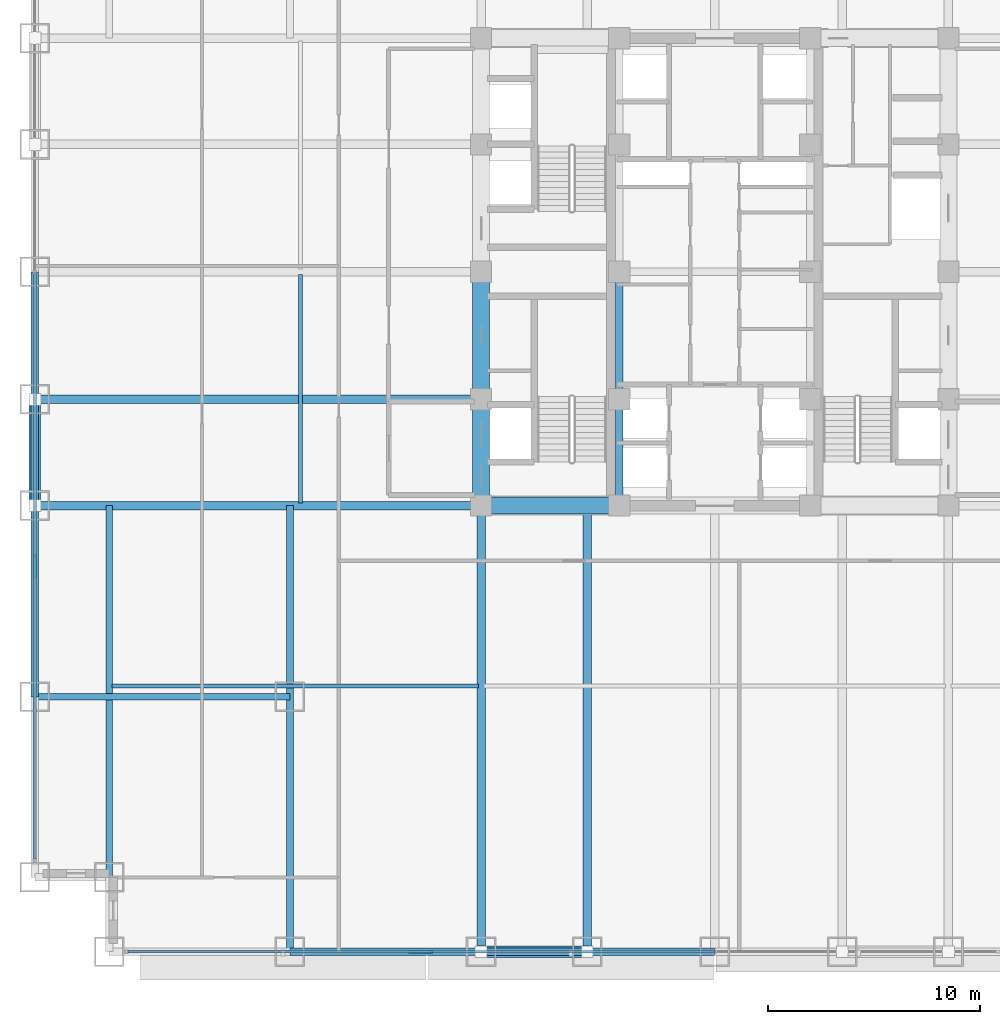
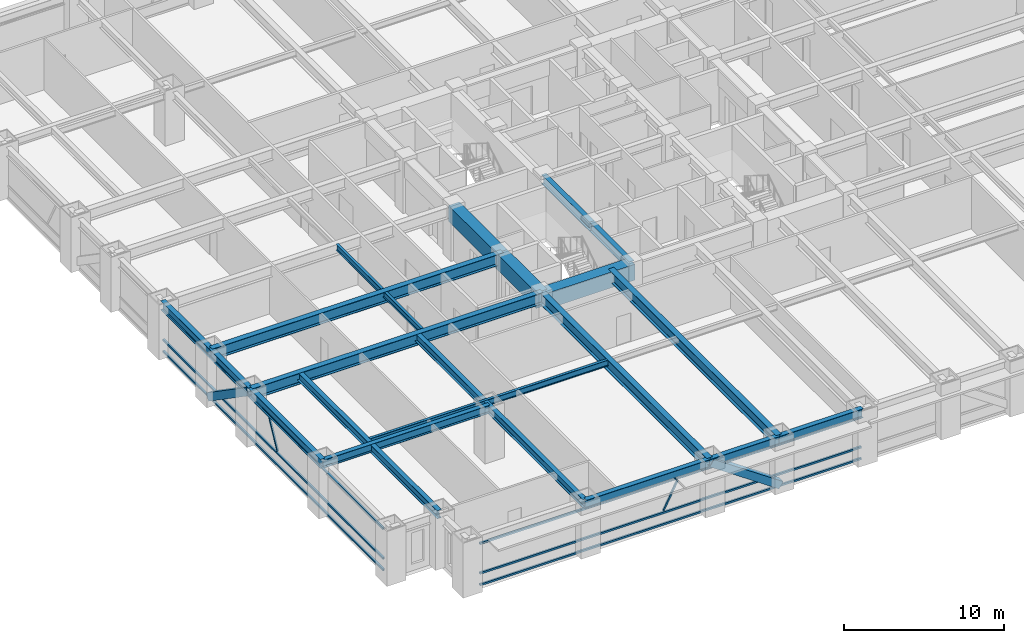
# One storey, part 3 of 32: 20 beams, 10 members, 2 elements without a shape of their own.
"""IFC4 building model written with IfcOpenShell, lengths in metres."""

from ifc_helpers import new_model, si_unit, direction, frame, origin, origin_2d, place, context, subcontext, project, spatial, rectangle, hollow_rectangle, i_section, extrude, source, transform, mapped, material, material_profile, profile_set, type_object, element, aggregate, save


model = new_model("IFC4")

# Units and contexts
model_context = context("Model", 3, precision=1e-05, world=origin(), true_north=direction((0.0, 1.0)))
body_context = subcontext(model_context, "Body", "Model", "MODEL_VIEW")
ifc_project = project(units=[si_unit("LENGTHUNIT", "METRE"), si_unit("AREAUNIT", "SQUARE_METRE"), si_unit("VOLUMEUNIT", "CUBIC_METRE"), si_unit("PLANEANGLEUNIT", "RADIAN"), si_unit("MASSUNIT", "GRAM", prefix="KILO")], contexts=[model_context])

# Site, building, storey
site_placement = place(None, origin())
site = spatial("IfcSite", under=ifc_project, at=site_placement, CompositionType="ELEMENT")
building_placement = place(site_placement, origin())
building = spatial("IfcBuilding", under=site, at=building_placement, Name="Khorayat Bourse Tower", CompositionType="ELEMENT")
storey_placement = place(building_placement, frame((0.0, 0.0, 70.39990234375)))
storey = spatial("IfcBuildingStorey", under=building, at=storey_placement, Name="L15", CompositionType="ELEMENT", Elevation=70.39990234375)

# Beams
ifc_material_1 = material(Name="Concrete C72/90", Category="concrete")
ifc_material_profile_1 = material_profile(ifc_material_1, rectangle(XDim=0.800048828125, YDim=1.199951171875, at=origin_2d()), Name="RC 800x1200")
ifc_profile_set_1 = profile_set([ifc_material_profile_1], Name="Concrete C72/90")
beam_type_1 = type_object("IfcBeamType", Name="BM-COUP-1200", PredefinedType="BEAM", material=ifc_profile_set_1)
shared_shape_1 = source(origin(), body_context, "Body", "SweptSolid", [
    extrude(rectangle(XDim=0.800048828125, YDim=1.199951171875, at=origin_2d()), origin(), (0.0, 0.0, 1.0), 5.0),
])
beam_1_placement = place(storey_placement, frame((-11.0, -11.0, 3.340087890625), z_axis=(0.0, 1.0, 0.0), x_axis=(-1.0, 0.0, 0.0)))
element("IfcBeam", 1, at=beam_1_placement, inside=storey, type_object=beam_type_1, Name="L15 BM-COUP-1200 BM-L15-CRX-01", PredefinedType="BEAM", context=body_context, shape_type="MappedRepresentation", body=[
    mapped(shared_shape_1, transform((0.0, 0.0, 0.0), scale=1.0)),
])
shared_shape_2 = source(origin(), body_context, "Body", "SweptSolid", [
    extrude(rectangle(XDim=0.800048828125, YDim=1.199951171875, at=origin_2d()), origin(), (0.0, 0.0, 1.0), 6.0),
])
beam_2_placement = place(storey_placement, frame((-11.0, -6.0, 3.340087890625), z_axis=(0.0, 1.0, 0.0), x_axis=(-1.0, 0.0, 0.0)))
element("IfcBeam", 2, at=beam_2_placement, inside=storey, type_object=beam_type_1, Name="L15 BM-COUP-1200 BM-L15-CRX-02", PredefinedType="BEAM", context=body_context, shape_type="MappedRepresentation", body=[
    mapped(shared_shape_2, transform((0.0, 0.0, 0.0), scale=1.0)),
])
ifc_material_2 = material(Name="Steel ASTM A992 Grade 50", Category="steel")
ifc_material_profile_2 = material_profile(ifc_material_2, i_section(OverallWidth=0.35498046875, OverallDepth=0.695068359375, WebThickness=0.015380859375, FlangeThickness=0.02490234375, FilletRadius=0.01806640625, at=origin_2d()), Name="W690X217")
ifc_profile_set_2 = profile_set([ifc_material_profile_2], Name="Steel ASTM A992 Grade 50")
beam_type_2 = type_object("IfcBeamType", Name="BM-GIRD-690", PredefinedType="BEAM", material=ifc_profile_set_2)
shared_shape_3 = source(origin(), body_context, "Body", "SweptSolid", [
    extrude(i_section(OverallWidth=0.35498046875, OverallDepth=0.695068359375, WebThickness=0.015380859375, FlangeThickness=0.02490234375, FilletRadius=0.01806640625, at=origin_2d()), origin(), (0.0, 0.0, 1.0), 5.0),
])
beam_3_placement = place(storey_placement, frame((-4.5, -11.0, 3.592529296875), z_axis=(0.0, 1.0, 0.0), x_axis=(-1.0, 0.0, 0.0)))
element("IfcBeam", 3, at=beam_3_placement, inside=storey, type_object=beam_type_2, Name="L15 BM-GIRD-690 BM-L15-CRX-05", PredefinedType="BEAM", context=body_context, shape_type="MappedRepresentation", body=[
    mapped(shared_shape_3, transform((0.0, 0.0, 0.0), scale=1.0)),
])
shared_shape_4 = source(origin(), body_context, "Body", "SweptSolid", [
    extrude(i_section(OverallWidth=0.35498046875, OverallDepth=0.695068359375, WebThickness=0.015380859375, FlangeThickness=0.02490234375, FilletRadius=0.01806640625, at=origin_2d()), origin(), (0.0, 0.0, 1.0), 6.0),
])
beam_4_placement = place(storey_placement, frame((-4.5, -6.0, 3.592529296875), z_axis=(0.0, 1.0, 0.0), x_axis=(-1.0, 0.0, 0.0)))
element("IfcBeam", 4, at=beam_4_placement, inside=storey, type_object=beam_type_2, Name="L15 BM-GIRD-690 BM-L15-CRX-06", PredefinedType="BEAM", context=body_context, shape_type="MappedRepresentation", body=[
    mapped(shared_shape_4, transform((0.0, 0.0, 0.0), scale=1.0)),
])
shared_shape_5 = source(origin(), body_context, "Body", "SweptSolid", [
    extrude(rectangle(XDim=0.800048828125, YDim=1.199951171875, at=origin_2d()), origin(), (0.0, 0.0, 1.0), 6.5),
])
beam_5_placement = place(storey_placement, frame((-11.0, -11.0, 3.340087890625), z_axis=(1.0, 0.0, 0.0), x_axis=(0.0, 1.0, 0.0)))
element("IfcBeam", 5, at=beam_5_placement, inside=storey, type_object=beam_type_1, Name="L15 BM-COUP-1200 BM-L15-CRY-17", PredefinedType="BEAM", context=body_context, shape_type="MappedRepresentation", body=[
    mapped(shared_shape_5, transform((0.0, 0.0, 0.0), scale=1.0)),
])
ifc_material_profile_3 = material_profile(ifc_material_2, i_section(OverallWidth=0.35498046875, OverallDepth=0.695068359375, WebThickness=0.015380859375, FlangeThickness=0.02490234375, FilletRadius=0.01806640625, at=origin_2d()), Name="W690X217")
ifc_profile_set_3 = profile_set([ifc_material_profile_3], Name="Steel ASTM A992 Grade 50")
beam_type_3 = type_object("IfcBeamType", Name="BM-SPAN-690", PredefinedType="SPANDREL", material=ifc_profile_set_3)
shared_shape_6 = source(origin(), body_context, "Body", "SweptSolid", [
    extrude(i_section(OverallWidth=0.35498046875, OverallDepth=0.695068359375, WebThickness=0.015380859375, FlangeThickness=0.02490234375, FilletRadius=0.01806640625, at=origin_2d()), origin(), (0.0, 0.0, 1.0), 9.0),
])
for number, where, z_axis, x_axis, name in (
    (6, (-20.0, -32.0, 3.592529296875), (1.0, 0.0, 0.0), (0.0, 1.0, 0.0), "L15 BM-SPAN-690 BM-L15-SPN-025"),
    (7, (-32.0, -20.0, 3.592529296875), (0.0, 1.0, 0.0), (-1.0, 0.0, 0.0), "L15 BM-SPAN-690 BM-L15-SPN-060"),
):
    element("IfcBeam", number, at=place(storey_placement, frame(where, z_axis=z_axis, x_axis=x_axis)), inside=storey, type_object=beam_type_3, Name=name, PredefinedType="SPANDREL", context=body_context, shape_type="MappedRepresentation", body=[
        mapped(shared_shape_6, transform((0.0, 0.0, 0.0), scale=1.0)),
    ])
shared_shape_7 = source(origin(), body_context, "Body", "SweptSolid", [
    extrude(i_section(OverallWidth=0.35498046875, OverallDepth=0.695068359375, WebThickness=0.015380859375, FlangeThickness=0.02490234375, FilletRadius=0.01806640625, at=origin_2d()), origin(), (0.0, 0.0, 1.0), 5.0),
])
for number, where, z_axis, x_axis, name in (
    (8, (-11.0, -32.0, 3.592529296875), (1.0, 0.0, 0.0), (0.0, 1.0, 0.0), "L15 BM-SPAN-690 BM-L15-SPN-026"),
    (9, (-32.0, -11.0, 3.592529296875), (0.0, 1.0, 0.0), (-1.0, 0.0, 0.0), "L15 BM-SPAN-690 BM-L15-SPN-059"),
):
    element("IfcBeam", number, at=place(storey_placement, frame(where, z_axis=z_axis, x_axis=x_axis)), inside=storey, type_object=beam_type_3, Name=name, PredefinedType="SPANDREL", context=body_context, shape_type="MappedRepresentation", body=[
        mapped(shared_shape_7, transform((0.0, 0.0, 0.0), scale=1.0)),
    ])
shared_shape_8 = source(origin(), body_context, "Body", "SweptSolid", [
    extrude(i_section(OverallWidth=0.35498046875, OverallDepth=0.695068359375, WebThickness=0.015380859375, FlangeThickness=0.02490234375, FilletRadius=0.01806640625, at=origin_2d()), origin(), (0.0, 0.0, 1.0), 6.0),
])
for number, where, z_axis, x_axis, name in (
    (10, (-6.0, -32.0, 3.592529296875), (1.0, 0.0, 0.0), (0.0, 1.0, 0.0), "L15 BM-SPAN-690 BM-L15-SPN-027"),
    (11, (-32.0, -6.0, 3.592529296875), (0.0, 1.0, 0.0), (-1.0, 0.0, 0.0), "L15 BM-SPAN-690 BM-L15-SPN-058"),
):
    element("IfcBeam", number, at=place(storey_placement, frame(where, z_axis=z_axis, x_axis=x_axis)), inside=storey, type_object=beam_type_3, Name=name, PredefinedType="SPANDREL", context=body_context, shape_type="MappedRepresentation", body=[
        mapped(shared_shape_8, transform((0.0, 0.0, 0.0), scale=1.0)),
    ])
ifc_material_profile_4 = material_profile(ifc_material_2, i_section(OverallWidth=0.39990234375, OverallDepth=0.85498046875, WebThickness=0.018310546875, FlangeThickness=0.029296875, FilletRadius=0.02001953125, at=origin_2d()), Name="W840X299")
ifc_profile_set_4 = profile_set([ifc_material_profile_4], Name="Steel ASTM A992 Grade 50")
beam_type_4 = type_object("IfcBeamType", Name="BM-GIRD-840", PredefinedType="BEAM", material=ifc_profile_set_4)
shared_shape_9 = source(origin(), body_context, "Body", "SweptSolid", [
    extrude(i_section(OverallWidth=0.39990234375, OverallDepth=0.85498046875, WebThickness=0.018310546875, FlangeThickness=0.029296875, FilletRadius=0.02001953125, at=origin_2d()), origin(), (0.0, 0.0, 1.0), 21.0),
])
for number, where, z_axis, x_axis, name in (
    (12, (-11.0, -32.0, 3.5126953125), (0.0, 1.0, 0.0), (-1.0, 0.0, 0.0), "L15 BM-GIRD-840 BM-L15-RADY-065"),
    (13, (-6.0, -32.0, 3.5126953125), (0.0, 1.0, 0.0), (-1.0, 0.0, 0.0), "L15 BM-GIRD-840 BM-L15-RADY-067"),
    (14, (-32.0, -11.0, 3.5126953125), (1.0, 0.0, 0.0), (0.0, 1.0, 0.0), "L15 BM-GIRD-840 BM-L15-RADX-075"),
    (15, (-32.0, -6.0, 3.5126953125), (1.0, 0.0, 0.0), (0.0, 1.0, 0.0), "L15 BM-GIRD-840 BM-L15-RADX-077"),
):
    element("IfcBeam", number, at=place(storey_placement, frame(where, z_axis=z_axis, x_axis=x_axis)), inside=storey, type_object=beam_type_4, Name=name, PredefinedType="BEAM", context=body_context, shape_type="MappedRepresentation", body=[
        mapped(shared_shape_9, transform((0.0, 0.0, 0.0), scale=1.0)),
    ])
ifc_material_profile_5 = material_profile(ifc_material_2, i_section(OverallWidth=0.324951171875, OverallDepth=0.615966796875, WebThickness=0.013916015625, FlangeThickness=0.021484375, FilletRadius=0.01611328125, at=origin_2d()), Name="W610X174")
ifc_profile_set_5 = profile_set([ifc_material_profile_5], Name="Steel ASTM A992 Grade 50")
beam_type_5 = type_object("IfcBeamType", Name="BM-GIRD-610", PredefinedType="BEAM", material=ifc_profile_set_5)
shared_shape_10 = source(origin(), body_context, "Body", "SweptSolid", [
    extrude(i_section(OverallWidth=0.324951171875, OverallDepth=0.615966796875, WebThickness=0.013916015625, FlangeThickness=0.021484375, FilletRadius=0.01611328125, at=origin_2d()), origin(), (0.0, 0.0, 1.0), 21.0),
])
beam_6_placement = place(storey_placement, frame((-20.0, -32.0, 3.632080078125), z_axis=(0.0, 1.0, 0.0), x_axis=(-1.0, 0.0, 0.0)))
element("IfcBeam", 16, at=beam_6_placement, inside=storey, type_object=beam_type_5, Name="L15 BM-GIRD-610 BM-L15-CNRY-084", PredefinedType="BEAM", context=body_context, shape_type="MappedRepresentation", body=[
    mapped(shared_shape_10, transform((0.0, 0.0, 0.0), scale=1.0)),
])
shared_shape_11 = source(origin(), body_context, "Body", "SweptSolid", [
    extrude(i_section(OverallWidth=0.324951171875, OverallDepth=0.615966796875, WebThickness=0.013916015625, FlangeThickness=0.021484375, FilletRadius=0.01611328125, at=origin_2d()), origin(), (0.0, 0.0, 1.0), 17.5),
])
beam_7_placement = place(storey_placement, frame((-28.5, -28.5, 3.632080078125), z_axis=(0.0, 1.0, 0.0), x_axis=(-1.0, 0.0, 0.0)))
element("IfcBeam", 17, at=beam_7_placement, inside=storey, type_object=beam_type_5, Name="L15 BM-GIRD-610 BM-L15-CNRY-088", PredefinedType="BEAM", context=body_context, shape_type="MappedRepresentation", body=[
    mapped(shared_shape_11, transform((0.0, 0.0, 0.0), scale=1.0)),
])
shared_shape_12 = source(origin(), body_context, "Body", "SweptSolid", [
    extrude(i_section(OverallWidth=0.324951171875, OverallDepth=0.615966796875, WebThickness=0.013916015625, FlangeThickness=0.021484375, FilletRadius=0.01611328125, at=origin_2d()), origin(), (0.0, 0.0, 1.0), 12.0),
])
beam_8_placement = place(storey_placement, frame((-32.0, -20.0, 3.632080078125), z_axis=(1.0, 0.0, 0.0), x_axis=(0.0, 1.0, 0.0)))
element("IfcBeam", 18, at=beam_8_placement, inside=storey, type_object=beam_type_5, Name="L15 BM-GIRD-610 BM-L15-CNRX-093", PredefinedType="BEAM", context=body_context, shape_type="MappedRepresentation", body=[
    mapped(shared_shape_12, transform((0.0, 0.0, 0.0), scale=1.0)),
])
ifc_material_profile_6 = material_profile(ifc_material_2, i_section(OverallWidth=0.194091796875, OverallDepth=0.468994140625, WebThickness=0.0126953125, FlangeThickness=0.0205078125, FilletRadius=0.012939453125, at=origin_2d()), Name="W460X106")
ifc_profile_set_6 = profile_set([ifc_material_profile_6], Name="Steel ASTM A992 Grade 50")
beam_type_6 = type_object("IfcBeamType", Name="BM-JOIST-460", PredefinedType="JOIST", material=ifc_profile_set_6)
shared_shape_13 = source(origin(), body_context, "Body", "SweptSolid", [
    extrude(i_section(OverallWidth=0.194091796875, OverallDepth=0.468994140625, WebThickness=0.0126953125, FlangeThickness=0.0205078125, FilletRadius=0.012939453125, at=origin_2d()), origin(), (0.0, 0.0, 1.0), 17.240234375),
])
beam_9_placement = place(storey_placement, frame((-28.3701171875, -19.5, 3.70556640625), z_axis=(1.0, 0.0, 0.0), x_axis=(0.0, 1.0, 0.0)))
element("IfcBeam", 19, at=beam_9_placement, inside=storey, type_object=beam_type_6, Name="L15 BM-JOIST-460 BM-L15-JSTX-096", PredefinedType="JOIST", context=body_context, shape_type="MappedRepresentation", body=[
    mapped(shared_shape_13, transform((0.0, 0.0, 0.0), scale=1.0)),
])
shared_shape_14 = source(origin(), body_context, "Body", "SweptSolid", [
    extrude(i_section(OverallWidth=0.194091796875, OverallDepth=0.468994140625, WebThickness=0.0126953125, FlangeThickness=0.0205078125, FilletRadius=0.012939453125, at=origin_2d()), origin(), (0.0, 0.0, 1.0), 10.740234375),
])
beam_10_placement = place(storey_placement, frame((-19.5, -10.8701171875, 3.70556640625), z_axis=(0.0, 1.0, 0.0), x_axis=(-1.0, 0.0, 0.0)))
element("IfcBeam", 20, at=beam_10_placement, inside=storey, type_object=beam_type_6, Name="L15 BM-JOIST-460 BM-L15-JSTY-102", PredefinedType="JOIST", context=body_context, shape_type="MappedRepresentation", body=[
    mapped(shared_shape_14, transform((0.0, 0.0, 0.0), scale=1.0)),
])

# Members
ifc_material_3 = material(Name="Steel EN 10025-4 S460M", Category="steel")
ifc_material_profile_7 = material_profile(ifc_material_3, hollow_rectangle(XDim=0.550048828125, YDim=0.550048828125, WallThickness=0.031982421875, at=origin_2d()), Name="HSS 550x550x32")
ifc_profile_set_7 = profile_set([ifc_material_profile_7], Name="Steel EN 10025-4 S460M")
member_type_1 = type_object("IfcMemberType", Name="MBR-TUBE-550", PredefinedType="BRACE", material=ifc_profile_set_7)
shared_shape_15 = source(origin(), body_context, "Body", "SweptSolid", [
    extrude(hollow_rectangle(XDim=0.550048828125, YDim=0.550048828125, WallThickness=0.031982421875, at=origin_2d()), origin(), (0.0, 0.0, 1.0), 6.069091796875),
])
for number, where, z_axis, x_axis, name in (
    (21, (-11.0, -32.0, 3.690185546875), (0.823835295996, 0.0, -0.566829255659), (0.0, 1.0, 0.0), "L15 Perimeter Tube Brace 01"),
    (22, (-32.0, -11.0, 3.690185546875), (0.0, 0.823835295996, -0.566829255659), (-1.0, 0.0, 0.0), "L15 Perimeter Tube Brace 05"),
):
    element("IfcMember", number, at=place(storey_placement, frame(where, z_axis=z_axis, x_axis=x_axis)), inside=storey, type_object=member_type_1, Name=name, PredefinedType="BRACE", context=body_context, shape_type="MappedRepresentation", body=[
        mapped(shared_shape_15, transform((0.0, 0.0, 0.0), scale=1.0)),
    ])

# Curtain wall, member
ifc_material_4 = material(Name="Aluminium EN AW-6063 T6", Category="aluminium")
curtain_wall_type = type_object("IfcCurtainWallType", Name="CW-SYS-02", PredefinedType="NOTDEFINED", material=ifc_material_4)
curtain_wall_1_placement = place(storey_placement, origin())
curtain_wall_1 = element("IfcCurtainWall", 23, at=curtain_wall_1_placement, inside=storey, type_object=curtain_wall_type, Name="L15 Curtain Wall CW-L15-S1", PredefinedType="NOTDEFINED")
ifc_material_profile_8 = material_profile(ifc_material_4, hollow_rectangle(XDim=0.1201171875, YDim=0.1201171875, WallThickness=0.0048828125, at=origin_2d()), Name="ALU 120x120x5")
ifc_profile_set_8 = profile_set([ifc_material_profile_8], Name="Aluminium EN AW-6063 T6")
member_type_2 = type_object("IfcMemberType", Name="CWM-DIAG-120", PredefinedType="MULLION", material=ifc_profile_set_8)
shared_shape_16 = source(origin(), body_context, "Body", "SweptSolid", [
    extrude(hollow_rectangle(XDim=0.1201171875, YDim=0.1201171875, WallThickness=0.0048828125, at=origin_2d()), origin(), (0.0, 0.0, 1.0), 2.22607421875),
])
member_1_placement = place(storey_placement, frame((-14.3583984375, -32.0, 1.10009765625), z_axis=(0.465759992596, 0.0, 0.884911085532), x_axis=(0.0, 1.0, 0.0)))
member_1 = element("IfcMember", 24, at=member_1_placement, type_object=member_type_2, Name="CW-L15-S1 Faceted Diagonal Mullion 1", PredefinedType="MULLION", context=body_context, shape_type="MappedRepresentation", body=[
    mapped(shared_shape_16, transform((0.0, 0.0, 0.0), scale=1.0)),
])

curtain_wall_2_placement = place(storey_placement, origin())
curtain_wall_2 = element("IfcCurtainWall", 25, at=curtain_wall_2_placement, inside=storey, type_object=curtain_wall_type, Name="L15 Curtain Wall CW-L15-W1", PredefinedType="NOTDEFINED")
member_2_placement = place(storey_placement, frame((-32.0, -14.3583984375, 1.10009765625), z_axis=(0.0, 0.465759992596, 0.884911085532), x_axis=(-1.0, 0.0, 0.0)))
member_2 = element("IfcMember", 26, at=member_2_placement, type_object=member_type_2, Name="CW-L15-W1 Faceted Diagonal Mullion 1", PredefinedType="MULLION", context=body_context, shape_type="MappedRepresentation", body=[
    mapped(shared_shape_16, transform((0.0, 0.0, 0.0), scale=1.0)),
])

# Member
ifc_material_profile_9 = material_profile(ifc_material_4, hollow_rectangle(XDim=0.139892578125, YDim=0.139892578125, WallThickness=0.006103515625, at=origin_2d()), Name="ALU 140x140x6")
ifc_profile_set_9 = profile_set([ifc_material_profile_9], Name="Aluminium EN AW-6063 T6")
member_type_3 = type_object("IfcMemberType", Name="CWT-HORZ-140", PredefinedType="USERDEFINED", material=ifc_profile_set_9)
shared_shape_17 = source(origin(), body_context, "Body", "SweptSolid", [
    extrude(hollow_rectangle(XDim=0.139892578125, YDim=0.139892578125, WallThickness=0.006103515625, at=origin_2d()), origin(), (0.0, 0.0, 1.0), 27.5400390625),
])
member_3_placement = place(storey_placement, frame((-27.610107421875, -32.0, 0.070068359375), z_axis=(1.0, 0.0, 0.0), x_axis=(0.0, 1.0, 0.0)))
member_3 = element("IfcMember", 27, at=member_3_placement, type_object=member_type_3, Name="CW-L15-S1 Horizontal Transom 1-1", ObjectType="TRANSOM", PredefinedType="USERDEFINED", context=body_context, shape_type="MappedRepresentation", body=[
    mapped(shared_shape_17, transform((0.0, 0.0, 0.0), scale=1.0)),
])

member_4_placement = place(storey_placement, frame((-27.610107421875, -32.0, 0.9501953125), z_axis=(1.0, 0.0, 0.0), x_axis=(0.0, 1.0, 0.0)))
member_4 = element("IfcMember", 28, at=member_4_placement, type_object=member_type_3, Name="CW-L15-S1 Horizontal Transom 1-2", ObjectType="TRANSOM", PredefinedType="USERDEFINED", context=body_context, shape_type="MappedRepresentation", body=[
    mapped(shared_shape_17, transform((0.0, 0.0, 0.0), scale=1.0)),
])

member_5_placement = place(storey_placement, frame((-27.610107421875, -32.0, 3.22021484375), z_axis=(1.0, 0.0, 0.0), x_axis=(0.0, 1.0, 0.0)))
member_5 = element("IfcMember", 29, at=member_5_placement, type_object=member_type_3, Name="CW-L15-S1 Horizontal Transom 1-3", ObjectType="TRANSOM", PredefinedType="USERDEFINED", context=body_context, shape_type="MappedRepresentation", body=[
    mapped(shared_shape_17, transform((0.0, 0.0, 0.0), scale=1.0)),
])

aggregate(curtain_wall_1, [member_3, member_4, member_5, member_1])

member_6_placement = place(storey_placement, frame((-32.0, -27.610107421875, 0.070068359375), z_axis=(0.0, 1.0, 0.0), x_axis=(-1.0, 0.0, 0.0)))
member_6 = element("IfcMember", 30, at=member_6_placement, type_object=member_type_3, Name="CW-L15-W1 Horizontal Transom 1-1", ObjectType="TRANSOM", PredefinedType="USERDEFINED", context=body_context, shape_type="MappedRepresentation", body=[
    mapped(shared_shape_17, transform((0.0, 0.0, 0.0), scale=1.0)),
])

member_7_placement = place(storey_placement, frame((-32.0, -27.610107421875, 0.9501953125), z_axis=(0.0, 1.0, 0.0), x_axis=(-1.0, 0.0, 0.0)))
member_7 = element("IfcMember", 31, at=member_7_placement, type_object=member_type_3, Name="CW-L15-W1 Horizontal Transom 1-2", ObjectType="TRANSOM", PredefinedType="USERDEFINED", context=body_context, shape_type="MappedRepresentation", body=[
    mapped(shared_shape_17, transform((0.0, 0.0, 0.0), scale=1.0)),
])

member_8_placement = place(storey_placement, frame((-32.0, -27.610107421875, 3.22021484375), z_axis=(0.0, 1.0, 0.0), x_axis=(-1.0, 0.0, 0.0)))
member_8 = element("IfcMember", 32, at=member_8_placement, type_object=member_type_3, Name="CW-L15-W1 Horizontal Transom 1-3", ObjectType="TRANSOM", PredefinedType="USERDEFINED", context=body_context, shape_type="MappedRepresentation", body=[
    mapped(shared_shape_17, transform((0.0, 0.0, 0.0), scale=1.0)),
])

aggregate(curtain_wall_2, [member_6, member_7, member_8, member_2])

save(model, "model.ifc")
